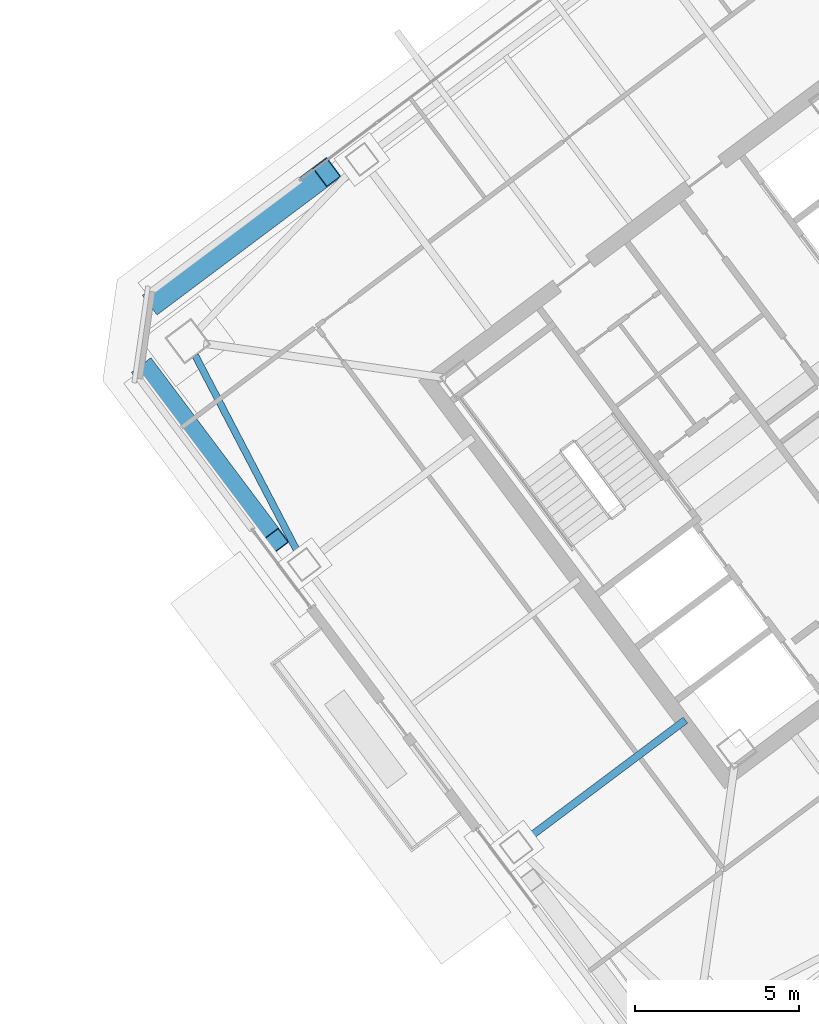
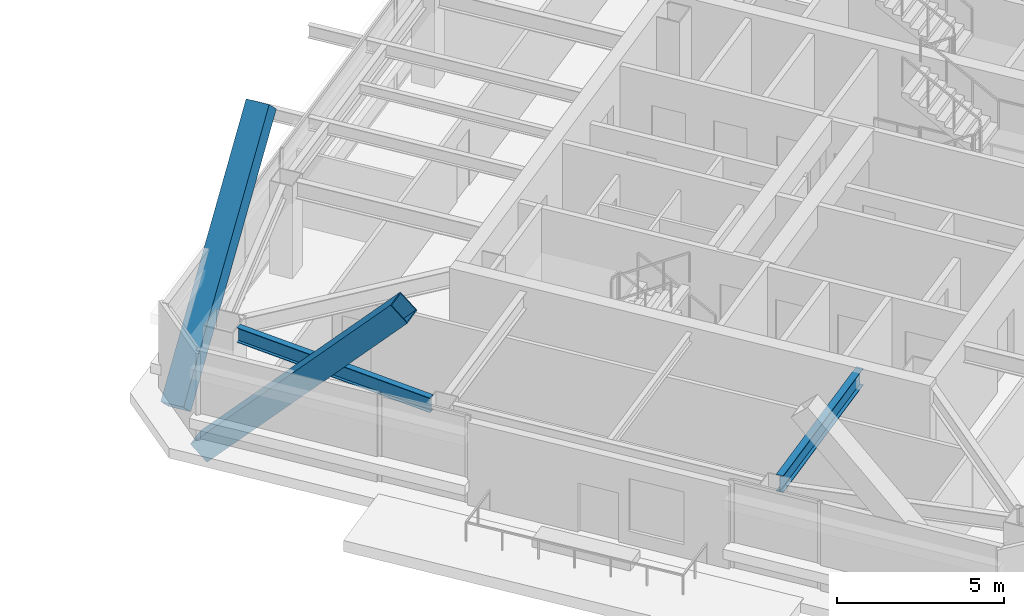
# One storey, part 17 of 39: 2 beams, 2 members.
"""IFC4 building model written with IfcOpenShell, lengths in metres."""

from ifc_helpers import new_model, si_unit, direction, frame, origin, origin_2d, place, context, subcontext, project, spatial, hollow_rectangle, i_section, extrude, material, material_profile, profile_set, type_object, element, save


model = new_model("IFC4")

# Units and contexts
model_context = context("Model", 3, precision=1e-05, world=origin(), true_north=direction((0.0, 1.0)))
body_context = subcontext(model_context, "Body", "Model", "MODEL_VIEW")
ifc_project = project(units=[si_unit("LENGTHUNIT", "METRE"), si_unit("AREAUNIT", "SQUARE_METRE"), si_unit("VOLUMEUNIT", "CUBIC_METRE"), si_unit("PLANEANGLEUNIT", "RADIAN"), si_unit("MASSUNIT", "GRAM", prefix="KILO")], contexts=[model_context])

# Site, building, storey
site_placement = place(None, origin())
site = spatial("IfcSite", under=ifc_project, at=site_placement, CompositionType="ELEMENT")
building_placement = place(site_placement, origin())
building = spatial("IfcBuilding", under=site, at=building_placement, Name="Tashvorn Skyway Center", CompositionType="ELEMENT")
storey_placement = place(building_placement, frame((0.0, 0.0, 232.60009765625)))
storey = spatial("IfcBuildingStorey", under=building, at=storey_placement, Name="L63", CompositionType="ELEMENT", Elevation=232.60009765625)

# Beams
ifc_material_1 = material(Name="Steel ASTM A992 Grade 50", Category="steel")
ifc_material_profile_1 = material_profile(ifc_material_1, i_section(OverallWidth=0.22998046875, OverallDepth=0.616943359375, WebThickness=0.01318359375, FlangeThickness=0.022216796875, at=origin_2d()), Name="W24X94")
ifc_profile_set_1 = profile_set([ifc_material_profile_1], Name="Steel ASTM A992 Grade 50")
beam_type_1 = type_object("IfcBeamType", Name="BM-BEAM-W24X94", PredefinedType="BEAM", material=ifc_profile_set_1)
beam_1_placement = place(storey_placement, frame((106.135986328125, 19.35205078125, 3.0615234375), z_axis=(0.800014407953, 0.599980788915, 0.0), x_axis=(-0.599980788915, 0.800014407953, 0.0)))
element("IfcBeam", 1, at=beam_1_placement, inside=storey, type_object=beam_type_1, Name="Tower 2 L63 Primary Floor Girder FC-W2", PredefinedType="BEAM", context=body_context, shape_type="SweptSolid", body=[
    extrude(i_section(OverallWidth=0.22998046875, OverallDepth=0.616943359375, WebThickness=0.01318359375, FlangeThickness=0.022216796875, at=origin_2d()), origin(), (0.0, 0.0, 1.0), 6.10009765625),
])
ifc_material_profile_2 = material_profile(ifc_material_1, i_section(OverallWidth=0.2109375, OverallDepth=0.5390625, WebThickness=0.01171875, FlangeThickness=0.018798828125, at=origin_2d()), Name="W21X73")
ifc_profile_set_2 = profile_set([ifc_material_profile_2], Name="Steel ASTM A992 Grade 50")
beam_type_2 = type_object("IfcBeamType", Name="BM-SPANDREL-W21X73", PredefinedType="SPANDREL", material=ifc_profile_set_2)
beam_2_placement = place(storey_placement, frame((96.02880859375, 34.1611328125, 3.100341796875), z_axis=(0.462204749472, -0.886773234579, 0.0), x_axis=(0.886773234579, 0.462204749472, 0.0)))
element("IfcBeam", 2, at=beam_2_placement, inside=storey, type_object=beam_type_2, Name="Tower 2 L63 Spandrel Beam 10", PredefinedType="SPANDREL", context=body_context, shape_type="SweptSolid", body=[
    extrude(i_section(OverallWidth=0.2109375, OverallDepth=0.5390625, WebThickness=0.01171875, FlangeThickness=0.018798828125, at=origin_2d()), origin(), (0.0, 0.0, 1.0), 6.837158203125),
])

# Members
ifc_material_2 = material(Name="Steel ASTM A572 Grade 50", Category="steel")
ifc_material_profile_3 = material_profile(ifc_material_2, hollow_rectangle(XDim=0.75, YDim=0.75, WallThickness=0.031982421875, at=origin_2d()), Name="BOX750x750x32")
ifc_profile_set_3 = profile_set([ifc_material_profile_3], Name="Steel ASTM A572 Grade 50")
member_type = type_object("IfcMemberType", Name="MEM-MB-750", PredefinedType="BRACE", material=ifc_profile_set_3)
member_1_placement = place(storey_placement, frame((94.85205078125, 35.864013671875, -0.2001953125), z_axis=(0.550660123478, 0.412988629158, 0.725405969508), x_axis=(-0.599993990277, 0.800004507257, 0.0)))
element("IfcMember", 3, at=member_1_placement, inside=storey, type_object=member_type, Name="Tower 2 Zone 6 N Chevron Mega-Brace R1", PredefinedType="BRACE", context=body_context, shape_type="SweptSolid", body=[
    extrude(hollow_rectangle(XDim=0.75, YDim=0.75, WallThickness=0.031982421875, at=origin_2d()), origin(), (0.0, 0.0, 1.0), 9.443115234375),
])
member_2_placement = place(storey_placement, frame((94.535888671875, 33.652099609375, -0.2001953125), z_axis=(0.413004193232, -0.550672257643, 0.725387896946), x_axis=(0.8, 0.6, 0.0)))
element("IfcMember", 4, at=member_2_placement, inside=storey, type_object=member_type, Name="Tower 2 Zone 6 W Chevron Mega-Brace L1", PredefinedType="BRACE", context=body_context, shape_type="SweptSolid", body=[
    extrude(hollow_rectangle(XDim=0.75, YDim=0.75, WallThickness=0.031982421875, at=origin_2d()), origin(), (0.0, 0.0, 1.0), 9.443359375),
])

save(model, "model.ifc")
